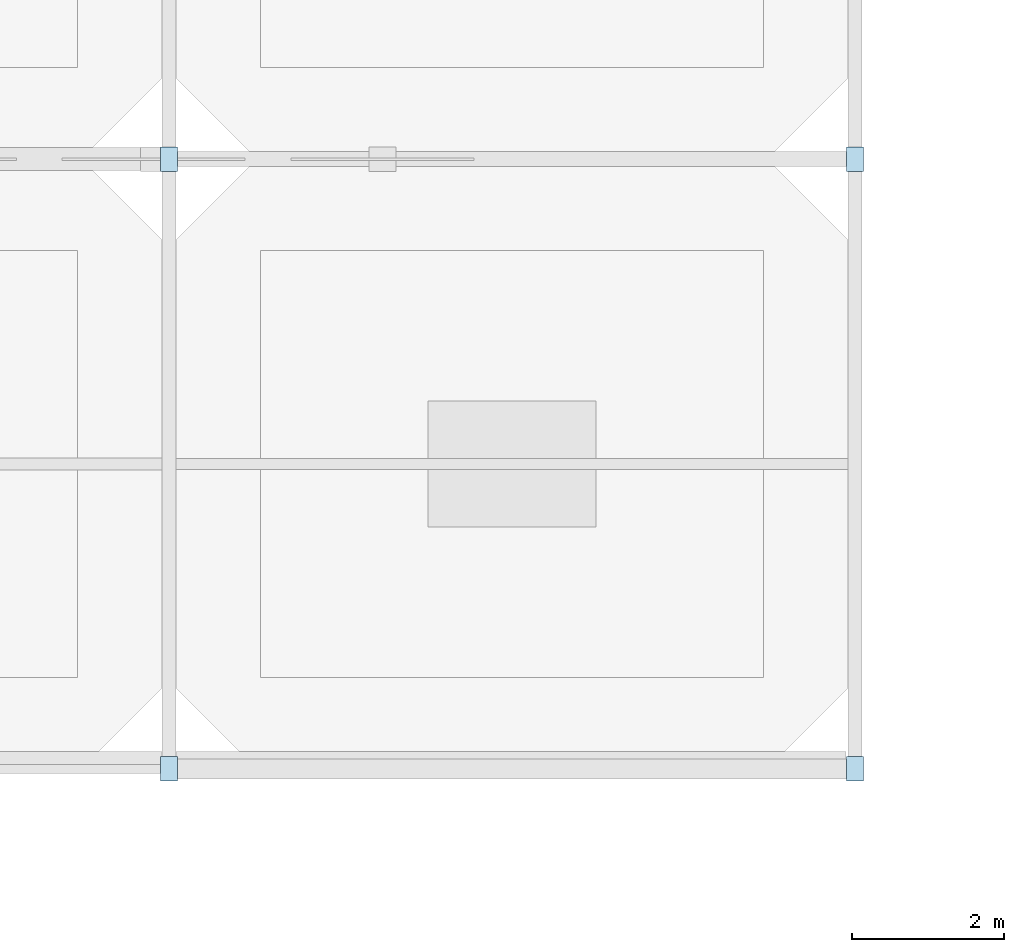
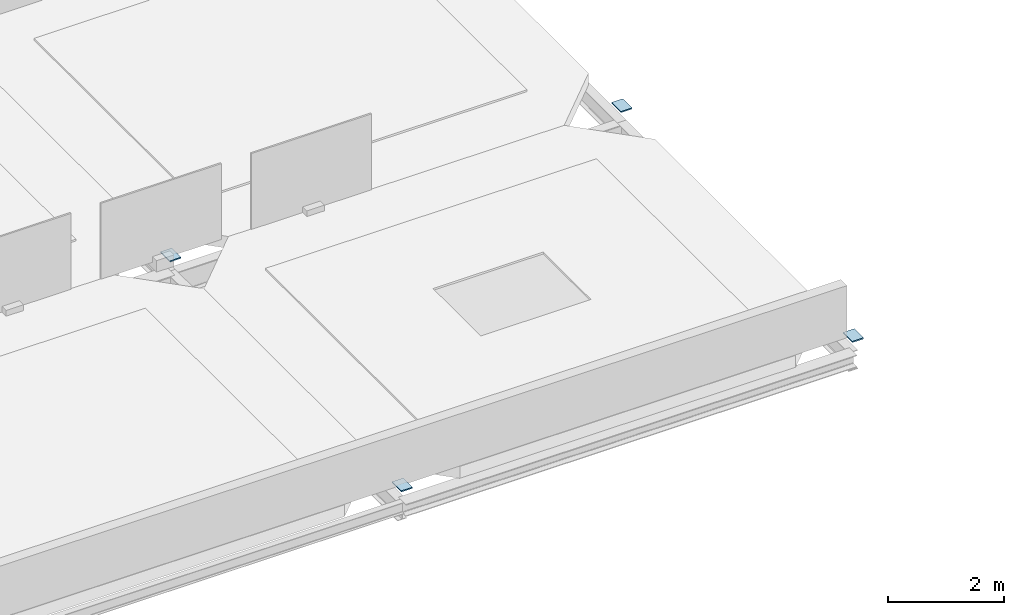
# One storey, part 35 of 44: 4 plates.
"""IFC4 building model written with IfcOpenShell, lengths in metres."""

from ifc_helpers import new_model, si_unit, direction, frame, origin, origin_2d, place, context, subcontext, project, spatial, rectangle, extrude, material, layer, layer_set, type_object, element, save


model = new_model("IFC4")

# Units and contexts
model_context = context("Model", 3, precision=1e-05, world=origin(), true_north=direction((0.0, 1.0)))
body_context = subcontext(model_context, "Body", "Model", "MODEL_VIEW")
ifc_project = project(units=[si_unit("LENGTHUNIT", "METRE"), si_unit("AREAUNIT", "SQUARE_METRE"), si_unit("VOLUMEUNIT", "CUBIC_METRE"), si_unit("PLANEANGLEUNIT", "RADIAN"), si_unit("MASSUNIT", "GRAM", prefix="KILO")], contexts=[model_context])

# Site, building, storey
site_placement = place(None, origin())
site = spatial("IfcSite", under=ifc_project, at=site_placement, CompositionType="ELEMENT")
building_placement = place(site_placement, origin())
building = spatial("IfcBuilding", under=site, at=building_placement, Name="Serraforn Aerial Cableway Station", CompositionType="ELEMENT")
storey_placement = place(building_placement, frame((0.0, 0.0, 13.800048828125)))
storey = spatial("IfcBuildingStorey", under=building, at=storey_placement, Name="L03", CompositionType="ELEMENT", Elevation=13.800048828125)

# Plates
ifc_material = material(Name="Steel S355J2", Category="steel")
ifc_layer = layer(ifc_material, 0.02490234375)
ifc_layer_set = layer_set([ifc_layer], Name="Steel S355J2")
plate_type = type_object("IfcPlateType", Name="PLT-ECP-RHS300", PredefinedType="USERDEFINED", material=ifc_layer_set)
for number, where, z_axis, x_axis, name in (
    (1, (112.199951171875, 26.0, -0.0009765625), (0.0, 0.0, 1.0), (1.0, 0.0, 0.0), "Hollow Column End Cap COL-EL-L02-15-D1"),
    (2, (112.199951171875, 34.0, -0.0009765625), (0.0, 0.0, 1.0), (1.0, 0.0, 0.0), "Hollow Column End Cap COL-EL-L02-15-D2"),
    (3, (121.199951171875, 26.0, -0.0009765625), (0.0, 0.0, 1.0), (1.0, 0.0, 0.0), "Hollow Column End Cap COL-EL-L02-16-D1"),
    (4, (121.199951171875, 34.0, -0.0009765625), (0.0, 0.0, 1.0), (1.0, 0.0, 0.0), "Hollow Column End Cap COL-EL-L02-16-D2"),
):
    element("IfcPlate", number, at=place(storey_placement, frame(where, z_axis=z_axis, x_axis=x_axis)), inside=storey, type_object=plate_type, Name=name, ObjectType="END CAP PLATE", PredefinedType="USERDEFINED", context=body_context, shape_type="SweptSolid", body=[
        extrude(rectangle(XDim=0.219970703125, YDim=0.320068359375, at=origin_2d()), origin(), (0.0, 0.0, 1.0), 0.02490234375),
    ])

save(model, "model.ifc")
